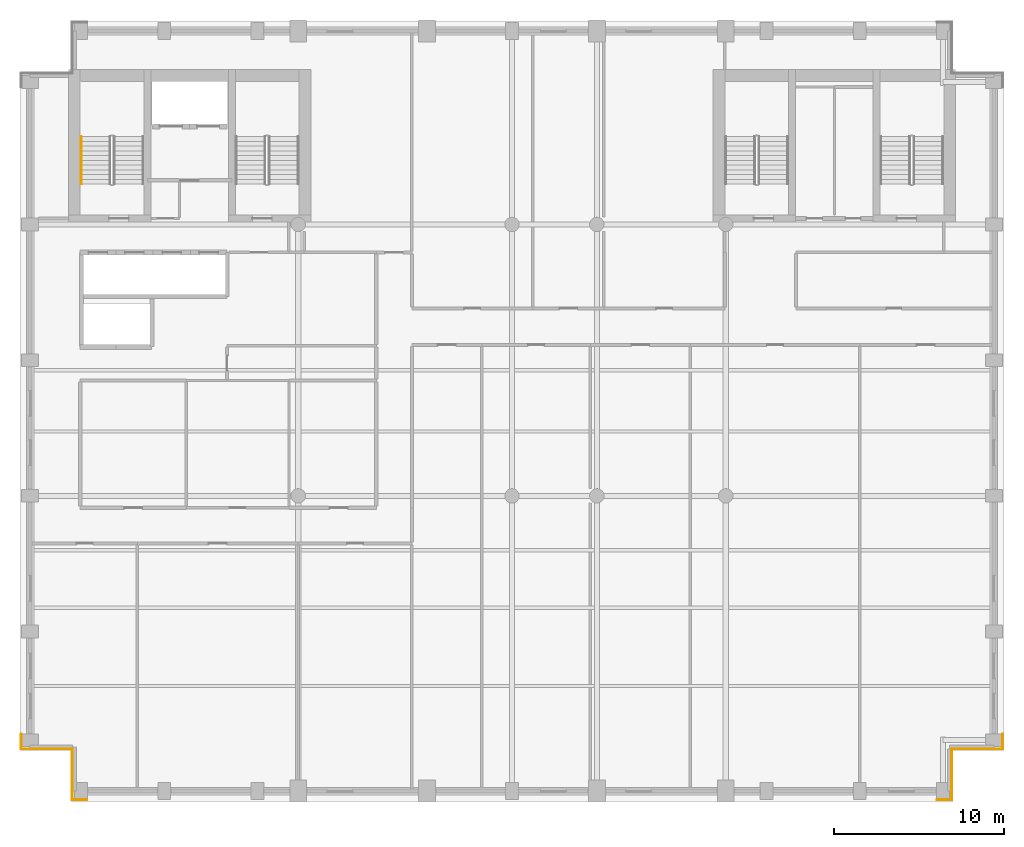
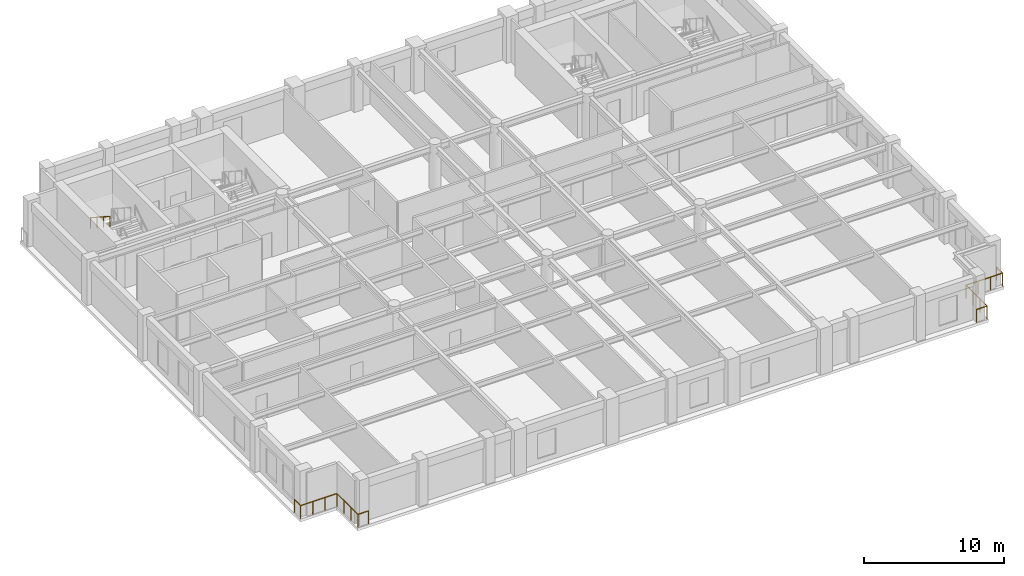
# One storey, part 7 of 9: 9 railings.
"""IFC4 building model written with IfcOpenShell, lengths in metres."""

from ifc_helpers import new_model, si_unit, direction, frame, origin, origin_2d, place, context, subcontext, project, spatial, circle, extrude, material, type_object, element, save


model = new_model("IFC4")

# Units and contexts
model_context = context("Model", 3, precision=1e-05, world=origin(), true_north=direction((0.0, 1.0)))
body_context = subcontext(model_context, "Body", "Model", "MODEL_VIEW")
ifc_project = project(units=[si_unit("LENGTHUNIT", "METRE"), si_unit("AREAUNIT", "SQUARE_METRE"), si_unit("VOLUMEUNIT", "CUBIC_METRE"), si_unit("PLANEANGLEUNIT", "RADIAN"), si_unit("MASSUNIT", "GRAM", prefix="KILO")], contexts=[model_context])

# Site, building, storey
site_placement = place(None, origin())
site = spatial("IfcSite", under=ifc_project, at=site_placement, CompositionType="ELEMENT")
building_placement = place(site_placement, origin())
building = spatial("IfcBuilding", under=site, at=building_placement, Name="Sulina Concourse Tower", CompositionType="ELEMENT")
storey_placement = place(building_placement, frame((0.0, 0.0, 268.60009765625)))
storey = spatial("IfcBuildingStorey", under=building, at=storey_placement, Name="L65", CompositionType="ELEMENT", Elevation=268.60009765625)

# Railings
ifc_material_1 = material(Name="Galvanised steel railing", Category="steel")
railing_type_1 = type_object("IfcRailingType", Name="Core Stair Steel Guardrail 1150mm", PredefinedType="GUARDRAIL", material=ifc_material_1)
railing_1_placement = place(storey_placement, frame((57.919921875, 3.949951171875, 0.0)))
element("IfcRailing", 1, at=railing_1_placement, inside=storey, type_object=railing_type_1, Name="L65 perimeter edge safety guardrail SE1", PredefinedType="GUARDRAIL", context=body_context, shape_type="SweptSolid", body=[
    extrude(circle(Radius=0.02392578125, at=origin_2d()), frame((0.0, 0.0, 1.1259765625), z_axis=(0.0, -1.0, 0.0), x_axis=(1.0, 0.0, 0.0)), (0.0, 0.0, 1.0), 0.869873046875),
    extrude(circle(Radius=0.02099609375, at=origin_2d()), origin(), (0.0, 0.0, 1.0), 1.101806640625),
    extrude(circle(Radius=0.02099609375, at=origin_2d()), frame((0.0, -0.869873046875, 0.0)), (0.0, 0.0, 1.0), 1.101806640625),
])
railing_2_placement = place(storey_placement, frame((57.919921875, 3.080078125, 0.0)))
element("IfcRailing", 2, at=railing_2_placement, inside=storey, type_object=railing_type_1, Name="L65 perimeter edge safety guardrail SE2", PredefinedType="GUARDRAIL", context=body_context, shape_type="SweptSolid", body=[
    extrude(circle(Radius=0.02392578125, at=origin_2d()), frame((0.0, 0.0, 1.1259765625), z_axis=(-1.0, 0.0, 0.0), x_axis=(0.0, -1.0, 0.0)), (0.0, 0.0, 1.0), 3.0),
    extrude(circle(Radius=0.02099609375, at=origin_2d()), origin(), (0.0, 0.0, 1.0), 1.101806640625),
    extrude(circle(Radius=0.02099609375, at=origin_2d()), frame((-1.0, 0.0, 0.0)), (0.0, 0.0, 1.0), 1.101806640625),
    extrude(circle(Radius=0.02099609375, at=origin_2d()), frame((-2.0, 0.0, 0.0)), (0.0, 0.0, 1.0), 1.101806640625),
    extrude(circle(Radius=0.02099609375, at=origin_2d()), frame((-3.0, 0.0, 0.0)), (0.0, 0.0, 1.0), 1.101806640625),
])
railing_3_placement = place(storey_placement, frame((54.919921875, 3.080078125, 0.0)))
element("IfcRailing", 3, at=railing_3_placement, inside=storey, type_object=railing_type_1, Name="L65 perimeter edge safety guardrail SE3", PredefinedType="GUARDRAIL", context=body_context, shape_type="SweptSolid", body=[
    extrude(circle(Radius=0.02392578125, at=origin_2d()), frame((0.0, 0.0, 1.1259765625), z_axis=(0.0, -1.0, 0.0), x_axis=(1.0, 0.0, 0.0)), (0.0, 0.0, 1.0), 3.0),
    extrude(circle(Radius=0.02099609375, at=origin_2d()), origin(), (0.0, 0.0, 1.0), 1.101806640625),
    extrude(circle(Radius=0.02099609375, at=origin_2d()), frame((0.0, -1.0, 0.0)), (0.0, 0.0, 1.0), 1.101806640625),
    extrude(circle(Radius=0.02099609375, at=origin_2d()), frame((0.0, -2.0, 0.0)), (0.0, 0.0, 1.0), 1.101806640625),
    extrude(circle(Radius=0.02099609375, at=origin_2d()), frame((0.0, -3.0, 0.0)), (0.0, 0.0, 1.0), 1.101806640625),
])
for number, where, name in (
    (4, (54.919921875, 0.080078125, 0.0), "L65 perimeter edge safety guardrail SE4"),
    (5, (3.949951171875, 0.080078125, 0.0), "L65 perimeter edge safety guardrail SW1"),
):
    element("IfcRailing", number, at=place(storey_placement, frame(where)), inside=storey, type_object=railing_type_1, Name=name, PredefinedType="GUARDRAIL", context=body_context, shape_type="SweptSolid", body=[
        extrude(circle(Radius=0.02392578125, at=origin_2d()), frame((0.0, 0.0, 1.1259765625), z_axis=(-1.0, 0.0, 0.0), x_axis=(0.0, -1.0, 0.0)), (0.0, 0.0, 1.0), 0.869873046875),
        extrude(circle(Radius=0.02099609375, at=origin_2d()), origin(), (0.0, 0.0, 1.0), 1.101806640625),
        extrude(circle(Radius=0.02099609375, at=origin_2d()), frame((-0.869873046875, 0.0, 0.0)), (0.0, 0.0, 1.0), 1.101806640625),
    ])
railing_4_placement = place(storey_placement, frame((3.080078125, 0.080078125, 0.0)))
element("IfcRailing", 6, at=railing_4_placement, inside=storey, type_object=railing_type_1, Name="L65 perimeter edge safety guardrail SW2", PredefinedType="GUARDRAIL", context=body_context, shape_type="SweptSolid", body=[
    extrude(circle(Radius=0.02392578125, at=origin_2d()), frame((0.0, 0.0, 1.1259765625), z_axis=(0.0, 1.0, 0.0), x_axis=(-1.0, 0.0, 0.0)), (0.0, 0.0, 1.0), 3.0),
    extrude(circle(Radius=0.02099609375, at=origin_2d()), origin(), (0.0, 0.0, 1.0), 1.101806640625),
    extrude(circle(Radius=0.02099609375, at=origin_2d()), frame((0.0, 1.0, 0.0)), (0.0, 0.0, 1.0), 1.101806640625),
    extrude(circle(Radius=0.02099609375, at=origin_2d()), frame((0.0, 2.0, 0.0)), (0.0, 0.0, 1.0), 1.101806640625),
    extrude(circle(Radius=0.02099609375, at=origin_2d()), frame((0.0, 3.0, 0.0)), (0.0, 0.0, 1.0), 1.101806640625),
])
railing_5_placement = place(storey_placement, frame((3.080078125, 3.080078125, 0.0)))
element("IfcRailing", 7, at=railing_5_placement, inside=storey, type_object=railing_type_1, Name="L65 perimeter edge safety guardrail SW3", PredefinedType="GUARDRAIL", context=body_context, shape_type="SweptSolid", body=[
    extrude(circle(Radius=0.02392578125, at=origin_2d()), frame((0.0, 0.0, 1.1259765625), z_axis=(-1.0, 0.0, 0.0), x_axis=(0.0, -1.0, 0.0)), (0.0, 0.0, 1.0), 3.0),
    extrude(circle(Radius=0.02099609375, at=origin_2d()), origin(), (0.0, 0.0, 1.0), 1.101806640625),
    extrude(circle(Radius=0.02099609375, at=origin_2d()), frame((-1.0, 0.0, 0.0)), (0.0, 0.0, 1.0), 1.101806640625),
    extrude(circle(Radius=0.02099609375, at=origin_2d()), frame((-2.0, 0.0, 0.0)), (0.0, 0.0, 1.0), 1.101806640625),
    extrude(circle(Radius=0.02099609375, at=origin_2d()), frame((-3.0, 0.0, 0.0)), (0.0, 0.0, 1.0), 1.101806640625),
])
railing_6_placement = place(storey_placement, frame((0.080078125, 3.080078125, 0.0)))
element("IfcRailing", 8, at=railing_6_placement, inside=storey, type_object=railing_type_1, Name="L65 perimeter edge safety guardrail SW4", PredefinedType="GUARDRAIL", context=body_context, shape_type="SweptSolid", body=[
    extrude(circle(Radius=0.02392578125, at=origin_2d()), frame((0.0, 0.0, 1.1259765625), z_axis=(0.0, 1.0, 0.0), x_axis=(-1.0, 0.0, 0.0)), (0.0, 0.0, 1.0), 0.869873046875),
    extrude(circle(Radius=0.02099609375, at=origin_2d()), origin(), (0.0, 0.0, 1.0), 1.101806640625),
    extrude(circle(Radius=0.02099609375, at=origin_2d()), frame((0.0, 0.869873046875, 0.0)), (0.0, 0.0, 1.0), 1.101806640625),
])
ifc_material_2 = material(Name="Galvanised steel railing", Category="steel")
railing_type_2 = type_object("IfcRailingType", Name="Stair Wall Steel Handrail 920mm", PredefinedType="HANDRAIL", material=ifc_material_2)
railing_7_placement = place(storey_placement, frame((3.60498046875, 39.175048828125, 2.181640625)))
element("IfcRailing", 9, at=railing_7_placement, inside=storey, type_object=railing_type_2, Name="L65 ST-1 stair handrail 2", PredefinedType="HANDRAIL", context=body_context, shape_type="SweptSolid", body=[
    extrude(circle(Radius=0.02392578125, at=origin_2d()), frame((0.0, 0.0, 0.89599609375), z_axis=(0.0, -0.838672427954, 0.544636170843), x_axis=(1.0, 0.0, 0.0)), (0.0, 0.0, 1.0), 3.338623046875),
    extrude(circle(Radius=0.02099609375, at=origin_2d()), origin(), (0.0, 0.0, 1.0), 0.871826171875),
    extrude(circle(Radius=0.02099609375, at=origin_2d()), frame((0.0, -0.933349609375, 0.606201171875)), (0.0, 0.0, 1.0), 0.871826171875),
    extrude(circle(Radius=0.02099609375, at=origin_2d()), frame((0.0, -1.86669921875, 1.212158203125)), (0.0, 0.0, 1.0), 0.871826171875),
    extrude(circle(Radius=0.02099609375, at=origin_2d()), frame((0.0, -2.800048828125, 1.818359375)), (0.0, 0.0, 1.0), 0.871826171875),
])

save(model, "model.ifc")
